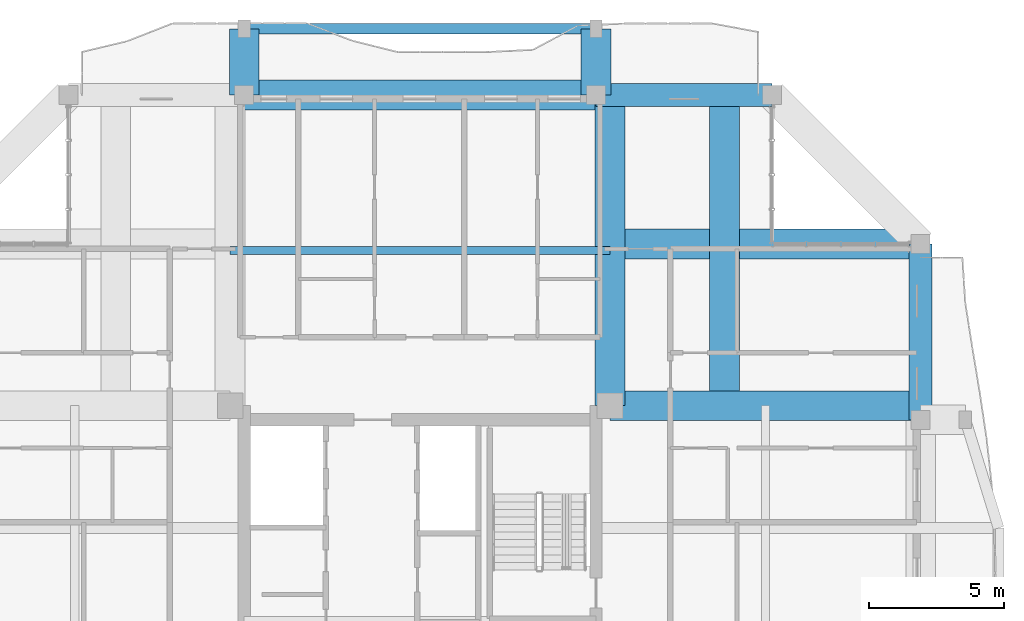
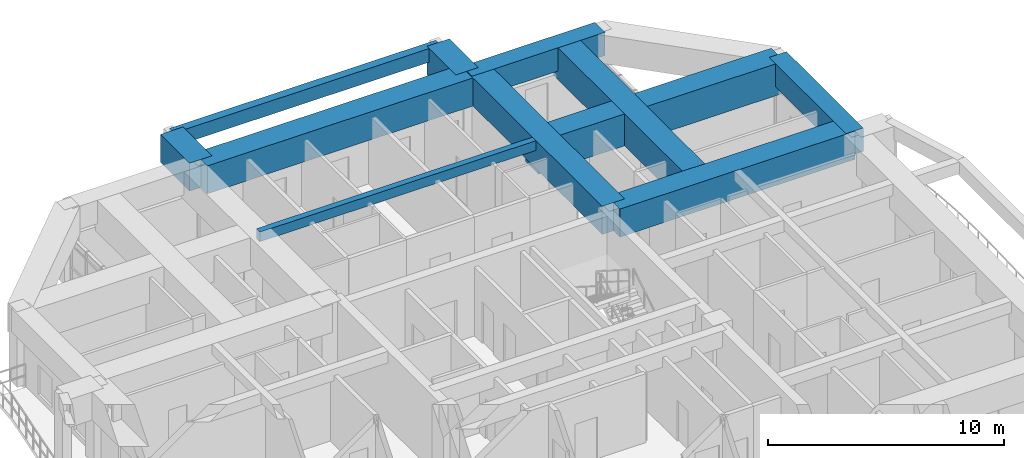
# One storey, part 7 of 22: 11 beams.
"""IFC4 building model written with IfcOpenShell, lengths in metres."""

from ifc_helpers import new_model, si_unit, direction, frame, origin, origin_2d, place, context, subcontext, project, spatial, rectangle, extrude, source, transform, mapped, material, material_profile, profile_set, type_object, element, save


model = new_model("IFC4")

# Units and contexts
model_context = context("Model", 3, precision=1e-05, world=origin(), true_north=direction((0.0, 1.0)))
body_context = subcontext(model_context, "Body", "Model", "MODEL_VIEW")
ifc_project = project(units=[si_unit("LENGTHUNIT", "METRE"), si_unit("AREAUNIT", "SQUARE_METRE"), si_unit("VOLUMEUNIT", "CUBIC_METRE"), si_unit("PLANEANGLEUNIT", "RADIAN"), si_unit("MASSUNIT", "GRAM", prefix="KILO")], contexts=[model_context])

# Site, building, storey
site_placement = place(None, origin())
site = spatial("IfcSite", under=ifc_project, at=site_placement, CompositionType="ELEMENT")
building_placement = place(site_placement, origin())
building = spatial("IfcBuilding", under=site, at=building_placement, Name="Saelheon Loggia Tower", CompositionType="ELEMENT")
storey_placement = place(building_placement, frame((0.0, 0.0, 216.300048828125)))
storey = spatial("IfcBuildingStorey", under=building, at=storey_placement, Name="L67", CompositionType="ELEMENT", Elevation=216.300048828125)

# Beams
ifc_material_1 = material(Name="Concrete C50/60", Category="concrete")
ifc_material_profile_1 = material_profile(ifc_material_1, rectangle(XDim=1.10009765625, YDim=1.449951171875, at=origin_2d()), Name="RC-1100x1450")
ifc_profile_set_1 = profile_set([ifc_material_profile_1], Name="Concrete C50/60")
beam_type_1 = type_object("IfcBeamType", Name="Beam_PerimTransfer_RC1100x1450", PredefinedType="BEAM", material=ifc_profile_set_1)
shared_shape_1 = source(origin(), body_context, "Body", "SweptSolid", [
    extrude(rectangle(XDim=1.10009765625, YDim=1.449951171875, at=origin_2d()), origin(), (0.0, 0.0, 1.0), 2.449951171875),
])
for number, where, z_axis, x_axis, name in (
    (1, (31.5, 48.0, 3.175048828125), (0.0, 1.0, 0.0), (-1.0, 0.0, 0.0), "L67 Loggia Frame Tie Beam LP-N1"),
    (2, (44.5, 48.0, 3.175048828125), (0.0, 1.0, 0.0), (-1.0, 0.0, 0.0), "L67 Loggia Frame Tie Beam LP-N2"),
):
    element("IfcBeam", number, at=place(storey_placement, frame(where, z_axis=z_axis, x_axis=x_axis)), inside=storey, type_object=beam_type_1, Name=name, PredefinedType="BEAM", context=body_context, shape_type="MappedRepresentation", body=[
        mapped(shared_shape_1, transform((0.0, 0.0, 0.0), scale=1.0)),
    ])
ifc_material_2 = material(Name="Concrete C40/50", Category="concrete")
ifc_material_profile_2 = material_profile(ifc_material_2, rectangle(XDim=0.300048828125, YDim=0.5, at=origin_2d()), Name="RC-300x500")
ifc_profile_set_2 = profile_set([ifc_material_profile_2], Name="Concrete C40/50")
beam_type_2 = type_object("IfcBeamType", Name="Beam_Joist_RC300x500", PredefinedType="JOIST", material=ifc_profile_set_2)
shared_shape_2 = source(origin(), body_context, "Body", "SweptSolid", [
    extrude(rectangle(XDim=0.300048828125, YDim=0.5, at=origin_2d()), origin(), (0.0, 0.0, 1.0), 14.0400390625),
])
beam_1_placement = place(storey_placement, frame((30.97998046875, 42.260009765625, 3.64990234375), z_axis=(1.0, 0.0, 0.0), x_axis=(0.0, 1.0, 0.0)))
element("IfcBeam", 3, at=beam_1_placement, inside=storey, type_object=beam_type_2, Name="L67 North Floor Joist", PredefinedType="JOIST", context=body_context, shape_type="MappedRepresentation", body=[
    mapped(shared_shape_2, transform((0.0, 0.0, 0.0), scale=1.0)),
])
shared_shape_3 = source(origin(), body_context, "Body", "SweptSolid", [
    extrude(rectangle(XDim=1.10009765625, YDim=1.449951171875, at=origin_2d()), origin(), (0.0, 0.0, 1.0), 13.0),
])
beam_2_placement = place(storey_placement, frame((44.5, 48.0, 3.175048828125), z_axis=(-1.0, 0.0, 0.0), x_axis=(0.0, -1.0, 0.0)))
element("IfcBeam", 4, at=beam_2_placement, inside=storey, type_object=beam_type_1, Name="L67 Perimeter Frame Girder 10", PredefinedType="BEAM", context=body_context, shape_type="MappedRepresentation", body=[
    mapped(shared_shape_3, transform((0.0, 0.0, 0.0), scale=1.0)),
])
ifc_material_profile_3 = material_profile(ifc_material_1, rectangle(XDim=1.10009765625, YDim=1.449951171875, at=origin_2d()), Name="RC-1100x1450")
ifc_profile_set_3 = profile_set([ifc_material_profile_3], Name="Concrete C50/60")
beam_type_3 = type_object("IfcBeamType", Name="Beam_Transfer_RC1100x1450", PredefinedType="BEAM", material=ifc_profile_set_3)
shared_shape_4 = source(origin(), body_context, "Body", "SweptSolid", [
    extrude(rectangle(XDim=1.10009765625, YDim=1.449951171875, at=origin_2d()), origin(), (0.0, 0.0, 1.0), 11.47998046875),
])
for number, where, z_axis, x_axis, name in (
    (5, (45.02001953125, 36.52001953125, 3.175048828125), (0.0, 1.0, 0.0), (-1.0, 0.0, 0.0), "L67 Radial Floor Girder RAD-NE-N"),
    (6, (45.02001953125, 36.52001953125, 3.175048828125), (1.0, 0.0, 0.0), (0.0, 1.0, 0.0), "L67 Radial Floor Girder RAD-NE-E"),
):
    element("IfcBeam", number, at=place(storey_placement, frame(where, z_axis=z_axis, x_axis=x_axis)), inside=storey, type_object=beam_type_3, Name=name, PredefinedType="BEAM", context=body_context, shape_type="MappedRepresentation", body=[
        mapped(shared_shape_4, transform((0.0, 0.0, 0.0), scale=1.0)),
    ])
ifc_material_profile_4 = material_profile(ifc_material_1, rectangle(XDim=1.10009765625, YDim=1.64990234375, at=origin_2d()), Name="RC-1100x1650")
ifc_profile_set_4 = profile_set([ifc_material_profile_4], Name="Concrete C50/60")
beam_type_4 = type_object("IfcBeamType", Name="Beam_MegaTransfer_RC1100x1650", PredefinedType="BEAM", material=ifc_profile_set_4)
shared_shape_5 = source(origin(), body_context, "Body", "SweptSolid", [
    extrude(rectangle(XDim=1.10009765625, YDim=1.64990234375, at=origin_2d()), origin(), (0.0, 0.0, 1.0), 11.47998046875),
])
beam_3_placement = place(storey_placement, frame((49.25, 36.52001953125, 3.074951171875), z_axis=(0.0, 1.0, 0.0), x_axis=(-1.0, 0.0, 0.0)))
element("IfcBeam", 7, at=beam_3_placement, inside=storey, type_object=beam_type_4, Name="TG-L67-NL-NE", PredefinedType="BEAM", context=body_context, shape_type="MappedRepresentation", body=[
    mapped(shared_shape_5, transform((0.0, 0.0, 0.0), scale=1.0)),
])
ifc_material_3 = material(Name="Precast Concrete C45/55", Category="concrete")
ifc_material_profile_5 = material_profile(ifc_material_3, rectangle(XDim=0.39990234375, YDim=0.699951171875, at=origin_2d()), Name="RC-400x700")
ifc_profile_set_5 = profile_set([ifc_material_profile_5], Name="Precast Concrete C45/55")
beam_type_5 = type_object("IfcBeamType", Name="Beam_LoggiaSpandrel_RC400x700", PredefinedType="SPANDREL", material=ifc_profile_set_5)
shared_shape_6 = source(origin(), body_context, "Body", "SweptSolid", [
    extrude(rectangle(XDim=0.39990234375, YDim=0.699951171875, at=origin_2d()), origin(), (0.0, 0.0, 1.0), 13.0),
])
beam_4_placement = place(storey_placement, frame((31.5, 50.449951171875, 3.550048828125), z_axis=(1.0, 0.0, 0.0), x_axis=(0.0, 1.0, 0.0)))
element("IfcBeam", 8, at=beam_4_placement, inside=storey, type_object=beam_type_5, Name="L67 Loggia Spandrel Beam N", PredefinedType="SPANDREL", context=body_context, shape_type="MappedRepresentation", body=[
    mapped(shared_shape_6, transform((0.0, 0.0, 0.0), scale=1.0)),
])
ifc_material_profile_6 = material_profile(ifc_material_1, rectangle(XDim=0.85009765625, YDim=1.199951171875, at=origin_2d()), Name="RC-850x1200")
ifc_profile_set_6 = profile_set([ifc_material_profile_6], Name="Concrete C50/60")
beam_type_6 = type_object("IfcBeamType", Name="Beam_CornerShoulder_RC850x1200", PredefinedType="BEAM", material=ifc_profile_set_6)
shared_shape_7 = source(origin(), body_context, "Body", "SweptSolid", [
    extrude(rectangle(XDim=0.85009765625, YDim=1.199951171875, at=origin_2d()), origin(), (0.0, 0.0, 1.0), 6.5),
])
for number, where, z_axis, x_axis, name in (
    (9, (56.5, 36.0, 3.300048828125), (0.0, 1.0, 0.0), (-1.0, 0.0, 0.0), "L67 Corner Shoulder Beam 07"),
    (10, (51.0, 48.0, 3.300048828125), (-1.0, 0.0, 0.0), (0.0, -1.0, 0.0), "L67 Corner Shoulder Beam 09"),
):
    element("IfcBeam", number, at=place(storey_placement, frame(where, z_axis=z_axis, x_axis=x_axis)), inside=storey, type_object=beam_type_6, Name=name, PredefinedType="BEAM", context=body_context, shape_type="MappedRepresentation", body=[
        mapped(shared_shape_7, transform((0.0, 0.0, 0.0), scale=1.0)),
    ])
shared_shape_8 = source(origin(), body_context, "Body", "SweptSolid", [
    extrude(rectangle(XDim=1.10009765625, YDim=1.64990234375, at=origin_2d()), origin(), (0.0, 0.0, 1.0), 12.0),
])
beam_5_placement = place(storey_placement, frame((44.5, 42.5, 3.074951171875), z_axis=(1.0, 0.0, 0.0), x_axis=(0.0, 1.0, 0.0)))
element("IfcBeam", 11, at=beam_5_placement, inside=storey, type_object=beam_type_4, Name="TG-L67-SH-NE", PredefinedType="BEAM", context=body_context, shape_type="MappedRepresentation", body=[
    mapped(shared_shape_8, transform((0.0, 0.0, 0.0), scale=1.0)),
])

save(model, "model.ifc")
